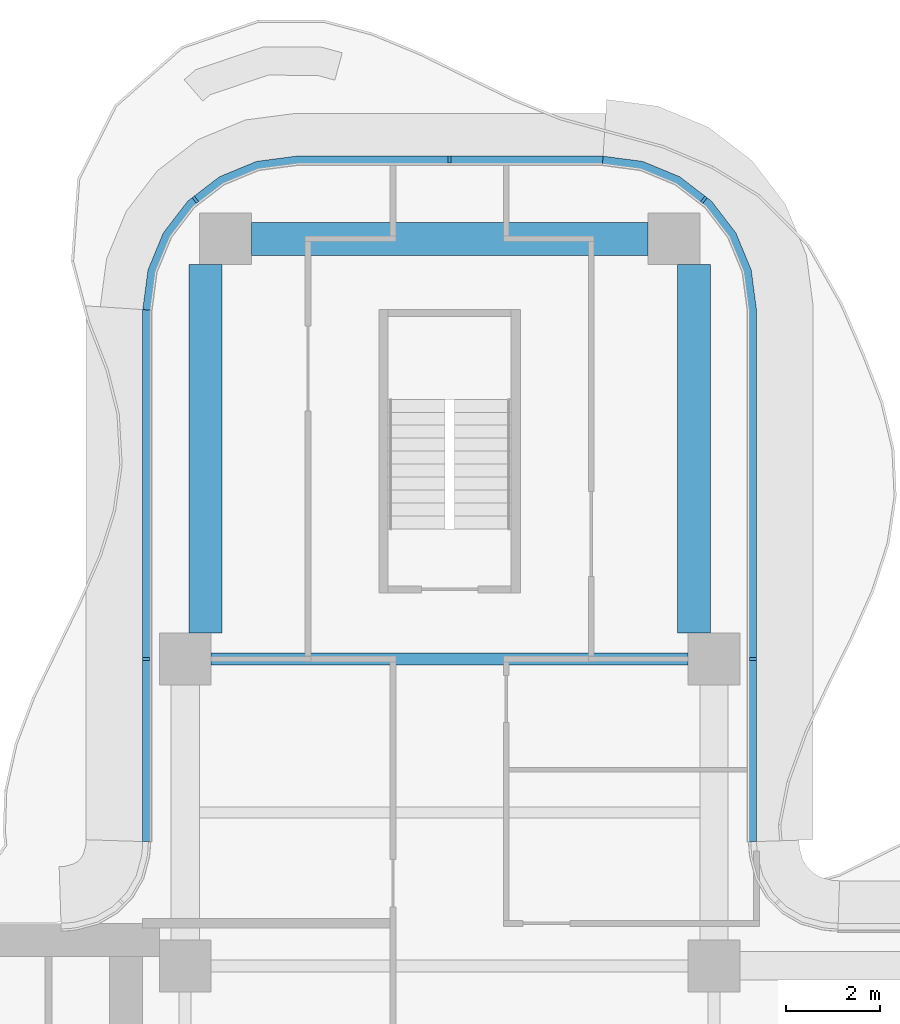
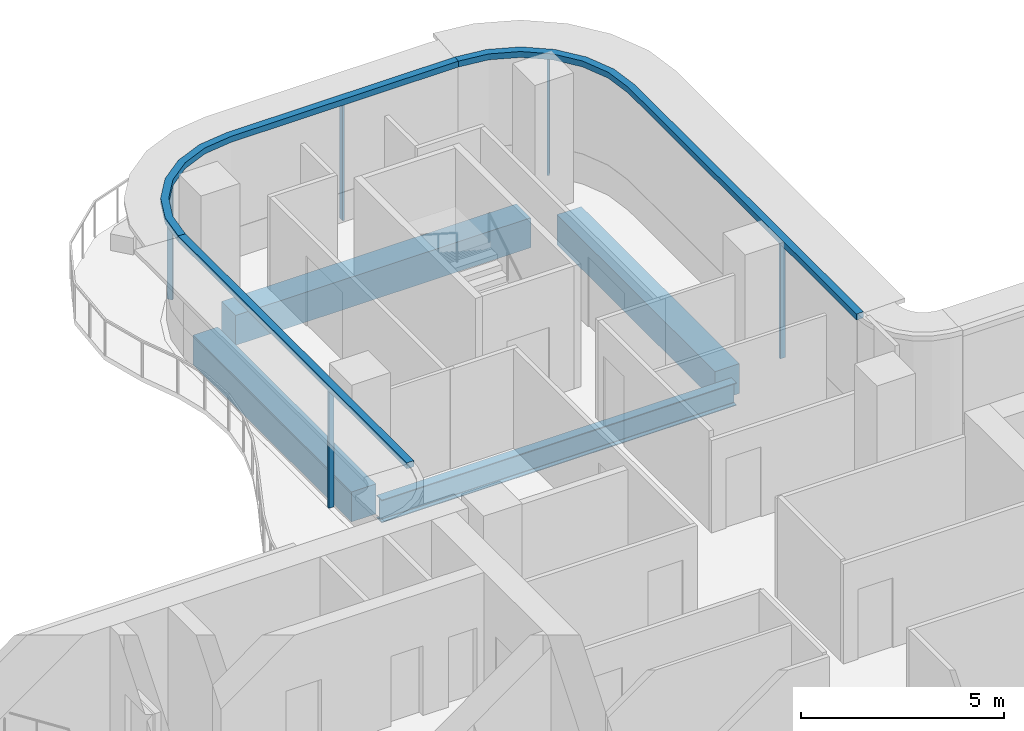
# One storey, part 7 of 16: 8 members, 4 beams, 3 elements without a shape of their own.
"""IFC4 building model written with IfcOpenShell, lengths in metres."""

from ifc_helpers import new_model, si_unit, direction, frame, origin, origin_2d, place, context, subcontext, project, spatial, polyline, rectangle, i_section, outline, extrude, source, transform, mapped, material, layer, layer_set, material_profile, profile_set, type_object, element, aggregate, save


model = new_model("IFC4")

# Units and contexts
model_context = context("Model", 3, precision=1e-05, world=origin(), true_north=direction((0.0, 1.0)))
body_context = subcontext(model_context, "Body", "Model", "MODEL_VIEW")
ifc_project = project(units=[si_unit("LENGTHUNIT", "METRE"), si_unit("AREAUNIT", "SQUARE_METRE"), si_unit("VOLUMEUNIT", "CUBIC_METRE"), si_unit("PLANEANGLEUNIT", "RADIAN"), si_unit("MASSUNIT", "GRAM", prefix="KILO")], contexts=[model_context])

# Site, building, storey
site_placement = place(None, origin())
site = spatial("IfcSite", under=ifc_project, at=site_placement, CompositionType="ELEMENT")
building_placement = place(site_placement, origin())
building = spatial("IfcBuilding", under=site, at=building_placement, Name="Trellis Farm Tower", CompositionType="ELEMENT")
storey_placement = place(building_placement, frame((0.0, 0.0, 248.0)))
storey = spatial("IfcBuildingStorey", under=building, at=storey_placement, Name="L55", CompositionType="ELEMENT", Elevation=248.0)

# Beams
ifc_material_1 = material(Name="Steel S355", Category="steel")
ifc_material_profile_1 = material_profile(ifc_material_1, i_section(OverallWidth=0.253662109375, OverallDepth=0.68359375, WebThickness=0.012451171875, FlangeThickness=0.021728515625, FilletRadius=0.01513671875, at=origin_2d()), Name="UB 686x254x140")
ifc_profile_set_1 = profile_set([ifc_material_profile_1], Name="Steel S355")
beam_type_1 = type_object("IfcBeamType", Name="UB 686x254x140", PredefinedType="BEAM", material=ifc_profile_set_1)
shared_shape_1 = source(origin(), body_context, "Body", "SweptSolid", [
    extrude(i_section(OverallWidth=0.253662109375, OverallDepth=0.68359375, WebThickness=0.012451171875, FlangeThickness=0.021728515625, FilletRadius=0.01513671875, at=origin_2d()), origin(), (0.0, 0.0, 1.0), 10.10009765625),
])
beam_1_placement = place(storey_placement, frame((-5.050048828125, 12.10009765625, -0.541748046875), z_axis=(1.0, 0.0, 0.0), x_axis=(0.0, 1.0, 0.0)))
element("IfcBeam", 1, at=beam_1_placement, inside=storey, type_object=beam_type_1, Name="Girder", PredefinedType="BEAM", context=body_context, shape_type="MappedRepresentation", body=[
    mapped(shared_shape_1, transform((0.0, 0.0, 0.0))),
])
ifc_material_2 = material(Name="Concrete C60/75", Category="concrete")
ifc_material_profile_2 = material_profile(ifc_material_2, rectangle(XDim=0.699951171875, YDim=0.89990234375, at=origin_2d()), Name="RC spandrel beam 700x900 C60/75")
ifc_profile_set_2 = profile_set([ifc_material_profile_2], Name="Concrete C60/75")
beam_type_2 = type_object("IfcBeamType", Name="RC spandrel beam 700x900 C60/75", PredefinedType="SPANDREL", material=ifc_profile_set_2)
shared_shape_2 = source(origin(), body_context, "Body", "SweptSolid", [
    extrude(rectangle(XDim=0.699951171875, YDim=0.89990234375, at=origin_2d()), origin(), (0.0, 0.0, 1.0), 8.39990234375),
])
beam_2_placement = place(storey_placement, frame((-4.199951171875, 21.0, -0.64990234375), z_axis=(1.0, 0.0, 0.0), x_axis=(0.0, 1.0, 0.0)))
element("IfcBeam", 2, at=beam_2_placement, inside=storey, type_object=beam_type_2, Name="Girder", PredefinedType="SPANDREL", context=body_context, shape_type="MappedRepresentation", body=[
    mapped(shared_shape_2, transform((0.0, 0.0, 0.0))),
])
shared_shape_3 = source(origin(), body_context, "Body", "SweptSolid", [
    extrude(rectangle(XDim=0.699951171875, YDim=0.89990234375, at=origin_2d()), origin(), (0.0, 0.0, 1.0), 7.800048828125),
])
for number, where, z_axis, x_axis, name in (
    (3, (-5.175048828125, 12.64990234375, -0.64990234375), (0.0, 1.0, 0.0), (-1.0, 0.0, 0.0), "Girder"),
    (4, (5.175048828125, 12.64990234375, -0.64990234375), (0.0, 1.0, 0.0), (-1.0, 0.0, 0.0), "Girder"),
):
    element("IfcBeam", number, at=place(storey_placement, frame(where, z_axis=z_axis, x_axis=x_axis)), inside=storey, type_object=beam_type_2, Name=name, PredefinedType="SPANDREL", context=body_context, shape_type="MappedRepresentation", body=[
        mapped(shared_shape_3, transform((0.0, 0.0, 0.0))),
    ])

# Curtain wall, members
ifc_material_3 = material(Name="Aluminium and glass curtain wall", Category="aluminium")
ifc_layer_1 = layer(ifc_material_3, 0.18994140625)
ifc_layer_set_1 = layer_set([ifc_layer_1], Name="RIBBON CURTAIN WALL CW1")
curtain_wall_type = type_object("IfcCurtainWallType", Name="RIBBON CURTAIN WALL CW1", PredefinedType="NOTDEFINED", material=ifc_layer_set_1)
placement_1 = place(storey_placement, origin())
curtain_wall_1 = element("IfcCurtainWall", 5, at=placement_1, inside=storey, type_object=curtain_wall_type, Name="CW1 009", PredefinedType="NOTDEFINED")
ifc_material_4 = material(Name="Aluminium extrusion 6063-T6", Category="aluminium")
ifc_material_profile_3 = material_profile(ifc_material_4, rectangle(XDim=0.06005859375, YDim=0.14990234375, at=origin_2d()), Name="MULLION 60x150")
ifc_profile_set_3 = profile_set([ifc_material_profile_3], Name="Aluminium extrusion 6063-T6")
member_type_1 = type_object("IfcMemberType", Name="CW1 MULLION 60x150", PredefinedType="MULLION", material=ifc_profile_set_3)
shared_shape_4 = source(origin(), body_context, "Body", "SweptSolid", [
    extrude(rectangle(XDim=0.06005859375, YDim=0.14990234375, at=origin_2d()), origin(), (0.0, 0.0, 1.0), 3.52001953125),
])
member_1_placement = place(storey_placement, frame((6.425048828125, 12.10009765625, 0.0), z_axis=(0.0, 0.0, 1.0), x_axis=(0.0, 1.0, 0.0)))
member_1 = element("IfcMember", 6, at=member_1_placement, type_object=member_type_1, Name="MU1 009-01", PredefinedType="MULLION", context=body_context, shape_type="MappedRepresentation", body=[
    mapped(shared_shape_4, transform((0.0, 0.0, 0.0))),
])
member_2_placement = place(storey_placement, frame((5.385498046875, 21.828369140625, 0.0), z_axis=(0.0, 0.0, 1.0), x_axis=(-0.793353340291, 0.608761429009, 0.0)))
member_2 = element("IfcMember", 7, at=member_2_placement, type_object=member_type_1, Name="MU1 009-02", PredefinedType="MULLION", context=body_context, shape_type="MappedRepresentation", body=[
    mapped(shared_shape_4, transform((0.0, 0.0, 0.0))),
])

curtain_wall_2 = element("IfcCurtainWall", 8, at=placement_1, inside=storey, type_object=curtain_wall_type, Name="CW1 010", PredefinedType="NOTDEFINED")
member_3_placement = place(storey_placement, frame((0.0, 22.675048828125, 0.0), z_axis=(0.0, 0.0, 1.0), x_axis=(-1.0, 0.0, 0.0)))
member_3 = element("IfcMember", 9, at=member_3_placement, type_object=member_type_1, Name="MU1 010-01", PredefinedType="MULLION", context=body_context, shape_type="MappedRepresentation", body=[
    mapped(shared_shape_4, transform((0.0, 0.0, 0.0))),
])
member_4_placement = place(storey_placement, frame((-5.385498046875, 21.828369140625, 0.0), z_axis=(0.0, 0.0, 1.0), x_axis=(-0.793353340291, -0.608761429009, 0.0)))
member_4 = element("IfcMember", 10, at=member_4_placement, type_object=member_type_1, Name="MU1 010-02", PredefinedType="MULLION", context=body_context, shape_type="MappedRepresentation", body=[
    mapped(shared_shape_4, transform((0.0, 0.0, 0.0))),
])

# Curtain wall, member
curtain_wall_3 = element("IfcCurtainWall", 11, at=placement_1, inside=storey, type_object=curtain_wall_type, Name="CW1 011", PredefinedType="NOTDEFINED")
member_5_placement = place(storey_placement, frame((-6.425048828125, 12.10009765625, 0.0), z_axis=(0.0, 0.0, 1.0), x_axis=(0.0, -1.0, 0.0)))
member_5 = element("IfcMember", 12, at=member_5_placement, type_object=member_type_1, Name="MU1 011-01", PredefinedType="MULLION", context=body_context, shape_type="MappedRepresentation", body=[
    mapped(shared_shape_4, transform((0.0, 0.0, 0.0))),
])

# Member
ifc_layer_2 = layer(ifc_material_4, 0.199951171875)
ifc_layer_set_2 = layer_set([ifc_layer_2], Name="Aluminium extrusion 6063-T6")
member_type_2 = type_object("IfcMemberType", Name="CW1 TRANSOM 200x180", PredefinedType="USERDEFINED", material=ifc_layer_set_2)
shared_shape_5 = source(origin(), body_context, "Body", "SweptSolid", [
    extrude(outline(polyline([(6.5, 8.2314453125), (6.5, 19.5), (6.38916015625, 20.341064453125), (6.064697265625, 21.125), (5.548095703125, 21.798095703125), (4.875, 22.314697265625), (4.091064453125, 22.63916015625), (3.25, 22.75), (3.23681640625, 22.550048828125), (4.0390625, 22.4443359375), (4.774169921875, 22.139892578125), (5.405517578125, 21.655517578125), (5.889892578125, 21.024169921875), (6.1943359375, 20.2890625), (6.300048828125, 19.48681640625), (6.300048828125, 8.224853515625), (6.5, 8.2314453125)])), origin(), (0.0, 0.0, 1.0), 0.179931640625),
])
placement_2 = place(storey_placement, frame((0.0, 0.0, 3.52001953125)))
member_6 = element("IfcMember", 13, at=placement_2, type_object=member_type_2, Name="TR1 009", ObjectType="TRANSOM", PredefinedType="USERDEFINED", context=body_context, shape_type="MappedRepresentation", body=[
    mapped(shared_shape_5, transform((0.0, 0.0, 0.0))),
])

aggregate(curtain_wall_1, [member_1, member_2, member_6])

shared_shape_6 = source(origin(), body_context, "Body", "SweptSolid", [
    extrude(outline(polyline([(3.25, 22.75), (-3.25, 22.75), (-4.091064453125, 22.63916015625), (-4.875, 22.314697265625), (-5.548095703125, 21.798095703125), (-6.064697265625, 21.125), (-6.38916015625, 20.341064453125), (-6.5, 19.5), (-6.300048828125, 19.48681640625), (-6.1943359375, 20.2890625), (-5.889892578125, 21.024169921875), (-5.405517578125, 21.655517578125), (-4.774169921875, 22.139892578125), (-4.0390625, 22.4443359375), (-3.23681640625, 22.550048828125), (3.23681640625, 22.550048828125), (3.25, 22.75)])), origin(), (0.0, 0.0, 1.0), 0.179931640625),
])
member_7 = element("IfcMember", 14, at=placement_2, type_object=member_type_2, Name="TR1 010", ObjectType="TRANSOM", PredefinedType="USERDEFINED", context=body_context, shape_type="MappedRepresentation", body=[
    mapped(shared_shape_6, transform((0.0, 0.0, 0.0))),
])

aggregate(curtain_wall_2, [member_3, member_4, member_7])

shared_shape_7 = source(origin(), body_context, "Body", "SweptSolid", [
    extrude(outline(polyline([(-6.5, 19.5), (-6.5, 8.2314453125), (-6.300048828125, 8.224853515625), (-6.300048828125, 19.48681640625), (-6.5, 19.5)])), origin(), (0.0, 0.0, 1.0), 0.179931640625),
])
member_8 = element("IfcMember", 15, at=placement_2, type_object=member_type_2, Name="TR1 011", ObjectType="TRANSOM", PredefinedType="USERDEFINED", context=body_context, shape_type="MappedRepresentation", body=[
    mapped(shared_shape_7, transform((0.0, 0.0, 0.0))),
])

aggregate(curtain_wall_3, [member_5, member_8])

save(model, "model.ifc")
